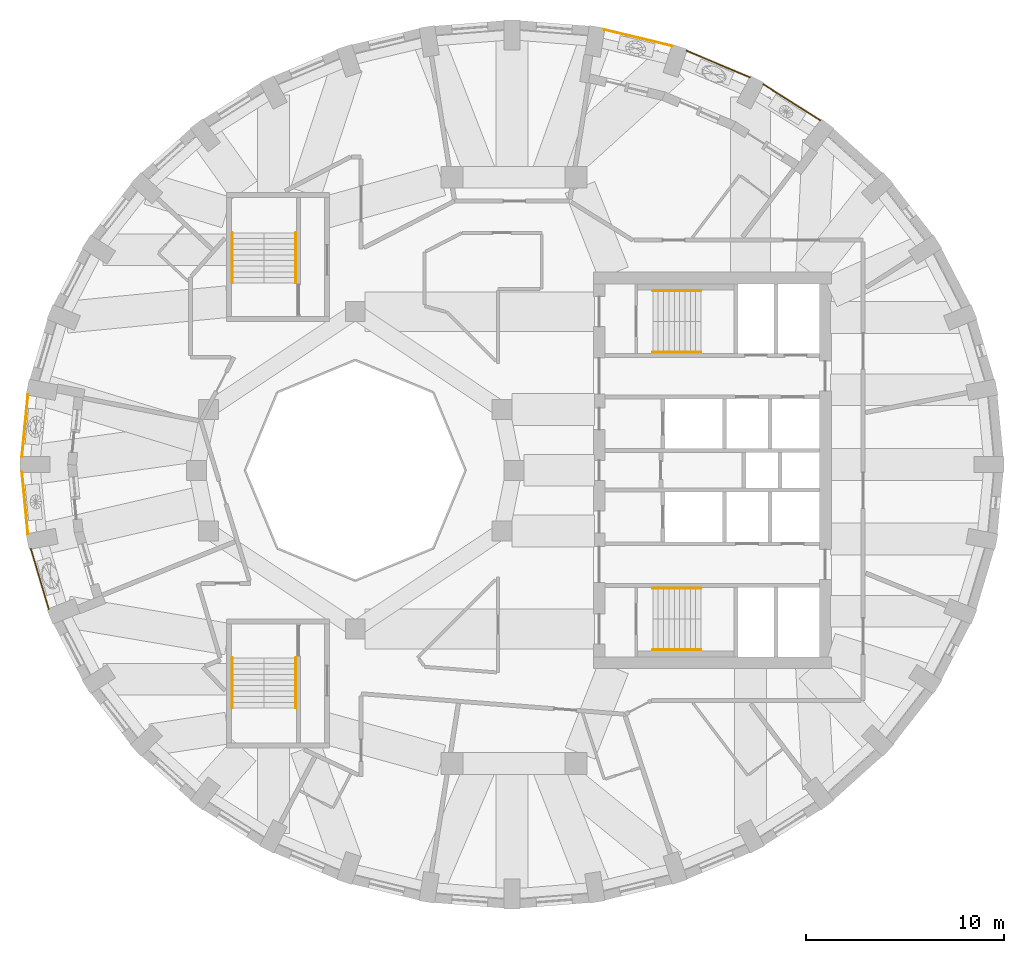
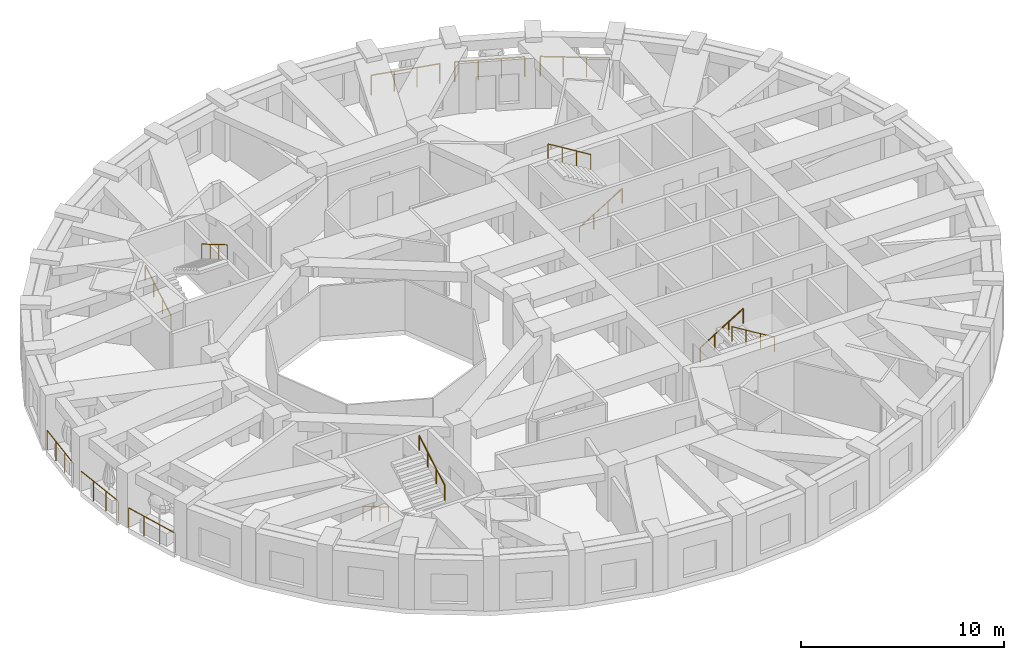
# One storey, part 10 of 12: 14 railings.
"""IFC4 building model written with IfcOpenShell, lengths in metres."""

from ifc_helpers import new_model, si_unit, direction, frame, origin, origin_2d, place, context, subcontext, project, spatial, circle, extrude, material, type_object, element, save


model = new_model("IFC4")

# Units and contexts
model_context = context("Model", 3, precision=1e-05, world=origin(), true_north=direction((0.0, 1.0)))
body_context = subcontext(model_context, "Body", "Model", "MODEL_VIEW")
ifc_project = project(units=[si_unit("LENGTHUNIT", "METRE"), si_unit("AREAUNIT", "SQUARE_METRE"), si_unit("VOLUMEUNIT", "CUBIC_METRE"), si_unit("PLANEANGLEUNIT", "RADIAN"), si_unit("MASSUNIT", "GRAM", prefix="KILO")], contexts=[model_context])

# Site, building, storey
site_placement = place(None, origin())
site = spatial("IfcSite", under=ifc_project, at=site_placement, CompositionType="ELEMENT")
building_placement = place(site_placement, origin())
building = spatial("IfcBuilding", under=site, at=building_placement, Name="Taillehof Tower", CompositionType="ELEMENT")
storey_placement = place(building_placement, frame((0.0, 0.0, 239.89990234375)))
storey = spatial("IfcBuildingStorey", under=building, at=storey_placement, Name="L68", CompositionType="ELEMENT", Elevation=239.89990234375)

# Railings
ifc_material_1 = material(Name="Stainless steel balustrade", Category="steel")
railing_type_1 = type_object("IfcRailingType", Name="Balcony guard 1200", PredefinedType="GUARDRAIL", material=ifc_material_1)
railing_1_placement = place(storey_placement, frame((-24.49853515625, 3.8115234375, 0.0)))
element("IfcRailing", 1, at=railing_1_placement, inside=storey, type_object=railing_type_1, Name="Balcony guard L68 bay 18", PredefinedType="GUARDRAIL", context=body_context, shape_type="SweptSolid", body=[
    extrude(circle(Radius=0.02392578125, at=origin_2d()), frame((0.0, 0.0, 1.17578125), z_axis=(-0.096691234516, -0.995314425279, 0.0), x_axis=(0.995314425279, -0.096691234516, 0.0)), (0.0, 0.0, 1.0), 3.14599609375),
    extrude(circle(Radius=0.02099609375, at=origin_2d()), origin(), (0.0, 0.0, 1.0), 1.15185546875),
    extrude(circle(Radius=0.02099609375, at=origin_2d()), frame((-0.101318359375, -1.043701171875, 0.0)), (0.0, 0.0, 1.0), 1.15185546875),
    extrude(circle(Radius=0.02099609375, at=origin_2d()), frame((-0.202880859375, -2.087646484375, 0.0)), (0.0, 0.0, 1.0), 1.15185546875),
    extrude(circle(Radius=0.02099609375, at=origin_2d()), frame((-0.30419921875, -3.13134765625, 0.0)), (0.0, 0.0, 1.0), 1.15185546875),
])
railing_2_placement = place(storey_placement, frame((-24.802734375, -0.080078125, 0.0)))
element("IfcRailing", 2, at=railing_2_placement, inside=storey, type_object=railing_type_1, Name="Balcony guard L68 bay 19", PredefinedType="GUARDRAIL", context=body_context, shape_type="SweptSolid", body=[
    extrude(circle(Radius=0.02392578125, at=origin_2d()), frame((0.0, 0.0, 1.17578125), z_axis=(0.096683766881, -0.995315150704, 0.0), x_axis=(0.995315150704, 0.096683766881, 0.0)), (0.0, 0.0, 1.0), 3.146240234375),
    extrude(circle(Radius=0.02099609375, at=origin_2d()), origin(), (0.0, 0.0, 1.0), 1.15185546875),
    extrude(circle(Radius=0.02099609375, at=origin_2d()), frame((0.101318359375, -1.0439453125, 0.0)), (0.0, 0.0, 1.0), 1.15185546875),
    extrude(circle(Radius=0.02099609375, at=origin_2d()), frame((0.202880859375, -2.087646484375, 0.0)), (0.0, 0.0, 1.0), 1.15185546875),
    extrude(circle(Radius=0.02099609375, at=origin_2d()), frame((0.30419921875, -3.131591796875, 0.0)), (0.0, 0.0, 1.0), 1.15185546875),
])
railing_3_placement = place(storey_placement, frame((-24.3525390625, -3.95751953125, 0.0)))
element("IfcRailing", 3, at=railing_3_placement, inside=storey, type_object=railing_type_1, Name="Balcony guard L68 bay 20", PredefinedType="GUARDRAIL", context=body_context, shape_type="SweptSolid", body=[
    extrude(circle(Radius=0.02392578125, at=origin_2d()), frame((0.0, 0.0, 1.17578125), z_axis=(0.285199702908, -0.958468116038, 0.0), x_axis=(0.958468116038, 0.285199702908, 0.0)), (0.0, 0.0, 1.0), 3.170654296875),
    extrude(circle(Radius=0.02099609375, at=origin_2d()), origin(), (0.0, 0.0, 1.0), 1.15185546875),
    extrude(circle(Radius=0.02099609375, at=origin_2d()), frame((0.301513671875, -1.012939453125, 0.0)), (0.0, 0.0, 1.0), 1.15185546875),
    extrude(circle(Radius=0.02099609375, at=origin_2d()), frame((0.602783203125, -2.026123046875, 0.0)), (0.0, 0.0, 1.0), 1.15185546875),
    extrude(circle(Radius=0.02099609375, at=origin_2d()), frame((0.904296875, -3.0390625, 0.0)), (0.0, 0.0, 1.0), 1.15185546875),
])
railing_4_placement = place(storey_placement, frame((15.452880859375, 17.637939453125, 0.0)))
element("IfcRailing", 4, at=railing_4_placement, inside=storey, type_object=railing_type_1, Name="Balcony guard L68 bay 6", PredefinedType="GUARDRAIL", context=body_context, shape_type="SweptSolid", body=[
    extrude(circle(Radius=0.02392578125, at=origin_2d()), frame((0.0, 0.0, 1.17578125), z_axis=(-0.845893321372, 0.533352124641, 0.0), x_axis=(-0.533352124641, -0.845893321372, 0.0)), (0.0, 0.0, 1.0), 3.412109375),
    extrude(circle(Radius=0.02099609375, at=origin_2d()), origin(), (0.0, 0.0, 1.0), 1.15185546875),
    extrude(circle(Radius=0.02099609375, at=origin_2d()), frame((-0.962158203125, 0.606689453125, 0.0)), (0.0, 0.0, 1.0), 1.15185546875),
    extrude(circle(Radius=0.02099609375, at=origin_2d()), frame((-1.924072265625, 1.213134765625, 0.0)), (0.0, 0.0, 1.0), 1.15185546875),
    extrude(circle(Radius=0.02099609375, at=origin_2d()), frame((-2.88623046875, 1.81982421875, 0.0)), (0.0, 0.0, 1.0), 1.15185546875),
])
railing_5_placement = place(storey_placement, frame((11.892333984375, 19.80859375, 0.0)))
element("IfcRailing", 5, at=railing_5_placement, inside=storey, type_object=railing_type_1, Name="Balcony guard L68 bay 7", PredefinedType="GUARDRAIL", context=body_context, shape_type="SweptSolid", body=[
    extrude(circle(Radius=0.02392578125, at=origin_2d()), frame((0.0, 0.0, 1.17578125), z_axis=(-0.922020278687, 0.38714158352, 0.0), x_axis=(-0.38714158352, -0.922020278687, 0.0)), (0.0, 0.0, 1.0), 3.47021484375),
    extrude(circle(Radius=0.02099609375, at=origin_2d()), origin(), (0.0, 0.0, 1.0), 1.15185546875),
    extrude(circle(Radius=0.02099609375, at=origin_2d()), frame((-1.066650390625, 0.44775390625, 0.0)), (0.0, 0.0, 1.0), 1.15185546875),
    extrude(circle(Radius=0.02099609375, at=origin_2d()), frame((-2.133056640625, 0.895751953125, 0.0)), (0.0, 0.0, 1.0), 1.15185546875),
    extrude(circle(Radius=0.02099609375, at=origin_2d()), frame((-3.19970703125, 1.343505859375, 0.0)), (0.0, 0.0, 1.0), 1.15185546875),
])
railing_6_placement = place(storey_placement, frame((7.97021484375, 21.38916015625, 0.0)))
element("IfcRailing", 6, at=railing_6_placement, inside=storey, type_object=railing_type_1, Name="Balcony guard L68 bay 8", PredefinedType="GUARDRAIL", context=body_context, shape_type="SweptSolid", body=[
    extrude(circle(Radius=0.02392578125, at=origin_2d()), frame((0.0, 0.0, 1.17578125), z_axis=(-0.972116636457, 0.234497857397, 0.0), x_axis=(-0.234497857397, -0.972116636457, 0.0)), (0.0, 0.0, 1.0), 3.5126953125),
    extrude(circle(Radius=0.02099609375, at=origin_2d()), origin(), (0.0, 0.0, 1.0), 1.15185546875),
    extrude(circle(Radius=0.02099609375, at=origin_2d()), frame((-1.13818359375, 0.274658203125, 0.0)), (0.0, 0.0, 1.0), 1.15185546875),
    extrude(circle(Radius=0.02099609375, at=origin_2d()), frame((-2.276611328125, 0.549072265625, 0.0)), (0.0, 0.0, 1.0), 1.15185546875),
    extrude(circle(Radius=0.02099609375, at=origin_2d()), frame((-3.414794921875, 0.82373046875, 0.0)), (0.0, 0.0, 1.0), 1.15185546875),
])
ifc_material_2 = material(Name="Stainless steel", Category="steel")
railing_type_2 = type_object("IfcRailingType", Name="Stair handrail 900", PredefinedType="HANDRAIL", material=ifc_material_2)
railing_7_placement = place(storey_placement, frame((7.0, 5.949951171875, 0.1650390625)))
element("IfcRailing", 7, at=railing_7_placement, inside=storey, type_object=railing_type_2, Name="Stair S1 handrail", PredefinedType="HANDRAIL", context=body_context, shape_type="SweptSolid", body=[
    extrude(circle(Radius=0.02392578125, at=origin_2d()), frame((0.0, 0.0, 0.8759765625), z_axis=(0.853258522278, 0.0, 0.521488153423), x_axis=(0.0, 1.0, 0.0)), (0.0, 0.0, 1.0), 2.847900390625),
    extrude(circle(Radius=0.02099609375, at=origin_2d()), origin(), (0.0, 0.0, 1.0), 0.851806640625),
    extrude(circle(Radius=0.02099609375, at=origin_2d()), frame((0.81005859375, 0.0, 0.4951171875)), (0.0, 0.0, 1.0), 0.851806640625),
    extrude(circle(Radius=0.02099609375, at=origin_2d()), frame((1.619873046875, 0.0, 0.989990234375)), (0.0, 0.0, 1.0), 0.851806640625),
    extrude(circle(Radius=0.02099609375, at=origin_2d()), frame((2.429931640625, 0.0, 1.485107421875)), (0.0, 0.0, 1.0), 0.851806640625),
])
railing_8_placement = place(storey_placement, frame((9.429931640625, 9.050048828125, 1.815185546875)))
element("IfcRailing", 8, at=railing_8_placement, inside=storey, type_object=railing_type_2, Name="Stair S1 handrail", PredefinedType="HANDRAIL", context=body_context, shape_type="SweptSolid", body=[
    extrude(circle(Radius=0.02392578125, at=origin_2d()), frame((0.0, 0.0, 0.8759765625), z_axis=(-0.853296667938, 0.0, 0.521425734392), x_axis=(0.0, -1.0, 0.0)), (0.0, 0.0, 1.0), 2.84765625),
    extrude(circle(Radius=0.02099609375, at=origin_2d()), origin(), (0.0, 0.0, 1.0), 0.851806640625),
    extrude(circle(Radius=0.02099609375, at=origin_2d()), frame((-0.81005859375, 0.0, 0.494873046875)), (0.0, 0.0, 1.0), 0.851806640625),
    extrude(circle(Radius=0.02099609375, at=origin_2d()), frame((-1.619873046875, 0.0, 0.989990234375)), (0.0, 0.0, 1.0), 0.851806640625),
    extrude(circle(Radius=0.02099609375, at=origin_2d()), frame((-2.429931640625, 0.0, 1.48486328125)), (0.0, 0.0, 1.0), 0.851806640625),
])
railing_9_placement = place(storey_placement, frame((7.0, -5.949951171875, 0.1650390625)))
element("IfcRailing", 9, at=railing_9_placement, inside=storey, type_object=railing_type_2, Name="Stair S2 handrail", PredefinedType="HANDRAIL", context=body_context, shape_type="SweptSolid", body=[
    extrude(circle(Radius=0.02392578125, at=origin_2d()), frame((0.0, 0.0, 0.8759765625), z_axis=(0.853258522278, 0.0, 0.521488153423), x_axis=(0.0, 1.0, 0.0)), (0.0, 0.0, 1.0), 2.847900390625),
    extrude(circle(Radius=0.02099609375, at=origin_2d()), origin(), (0.0, 0.0, 1.0), 0.851806640625),
    extrude(circle(Radius=0.02099609375, at=origin_2d()), frame((0.81005859375, 0.0, 0.4951171875)), (0.0, 0.0, 1.0), 0.851806640625),
    extrude(circle(Radius=0.02099609375, at=origin_2d()), frame((1.619873046875, 0.0, 0.989990234375)), (0.0, 0.0, 1.0), 0.851806640625),
    extrude(circle(Radius=0.02099609375, at=origin_2d()), frame((2.429931640625, 0.0, 1.485107421875)), (0.0, 0.0, 1.0), 0.851806640625),
])
railing_10_placement = place(storey_placement, frame((9.429931640625, -9.050048828125, 1.815185546875)))
element("IfcRailing", 10, at=railing_10_placement, inside=storey, type_object=railing_type_2, Name="Stair S2 handrail", PredefinedType="HANDRAIL", context=body_context, shape_type="SweptSolid", body=[
    extrude(circle(Radius=0.02392578125, at=origin_2d()), frame((0.0, 0.0, 0.8759765625), z_axis=(-0.853296667938, 0.0, 0.521425734392), x_axis=(0.0, -1.0, 0.0)), (0.0, 0.0, 1.0), 2.84765625),
    extrude(circle(Radius=0.02099609375, at=origin_2d()), origin(), (0.0, 0.0, 1.0), 0.851806640625),
    extrude(circle(Radius=0.02099609375, at=origin_2d()), frame((-0.81005859375, 0.0, 0.494873046875)), (0.0, 0.0, 1.0), 0.851806640625),
    extrude(circle(Radius=0.02099609375, at=origin_2d()), frame((-1.619873046875, 0.0, 0.989990234375)), (0.0, 0.0, 1.0), 0.851806640625),
    extrude(circle(Radius=0.02099609375, at=origin_2d()), frame((-2.429931640625, 0.0, 1.48486328125)), (0.0, 0.0, 1.0), 0.851806640625),
])
railing_11_placement = place(storey_placement, frame((-14.199951171875, 9.449951171875, 0.1650390625)))
element("IfcRailing", 11, at=railing_11_placement, inside=storey, type_object=railing_type_2, Name="Stair S3 handrail", PredefinedType="HANDRAIL", context=body_context, shape_type="SweptSolid", body=[
    extrude(circle(Radius=0.02392578125, at=origin_2d()), frame((0.0, 0.0, 0.8759765625), z_axis=(0.0, 0.86152411907, 0.507716645641), x_axis=(-1.0, 0.0, 0.0)), (0.0, 0.0, 1.0), 2.925048828125),
    extrude(circle(Radius=0.02099609375, at=origin_2d()), origin(), (0.0, 0.0, 1.0), 0.851806640625),
    extrude(circle(Radius=0.02099609375, at=origin_2d()), frame((0.0, 0.840087890625, 0.4951171875)), (0.0, 0.0, 1.0), 0.851806640625),
    extrude(circle(Radius=0.02099609375, at=origin_2d()), frame((0.0, 1.679931640625, 0.989990234375)), (0.0, 0.0, 1.0), 0.851806640625),
    extrude(circle(Radius=0.02099609375, at=origin_2d()), frame((0.0, 2.52001953125, 1.485107421875)), (0.0, 0.0, 1.0), 0.851806640625),
])
railing_12_placement = place(storey_placement, frame((-11.0, 11.969970703125, 1.815185546875)))
element("IfcRailing", 12, at=railing_12_placement, inside=storey, type_object=railing_type_2, Name="Stair S3 handrail", PredefinedType="HANDRAIL", context=body_context, shape_type="SweptSolid", body=[
    extrude(circle(Radius=0.02392578125, at=origin_2d()), frame((0.0, 0.0, 0.8759765625), z_axis=(0.0, -0.861560626758, 0.507654692109), x_axis=(1.0, 0.0, 0.0)), (0.0, 0.0, 1.0), 2.925048828125),
    extrude(circle(Radius=0.02099609375, at=origin_2d()), origin(), (0.0, 0.0, 1.0), 0.851806640625),
    extrude(circle(Radius=0.02099609375, at=origin_2d()), frame((0.0, -0.840087890625, 0.494873046875)), (0.0, 0.0, 1.0), 0.851806640625),
    extrude(circle(Radius=0.02099609375, at=origin_2d()), frame((0.0, -1.679931640625, 0.989990234375)), (0.0, 0.0, 1.0), 0.851806640625),
    extrude(circle(Radius=0.02099609375, at=origin_2d()), frame((0.0, -2.52001953125, 1.48486328125)), (0.0, 0.0, 1.0), 0.851806640625),
])
railing_13_placement = place(storey_placement, frame((-14.199951171875, -9.449951171875, 0.1650390625)))
element("IfcRailing", 13, at=railing_13_placement, inside=storey, type_object=railing_type_2, Name="Stair S4 handrail", PredefinedType="HANDRAIL", context=body_context, shape_type="SweptSolid", body=[
    extrude(circle(Radius=0.02392578125, at=origin_2d()), frame((0.0, 0.0, 0.8759765625), z_axis=(0.0, -0.86152411907, 0.507716645641), x_axis=(1.0, 0.0, 0.0)), (0.0, 0.0, 1.0), 2.925048828125),
    extrude(circle(Radius=0.02099609375, at=origin_2d()), origin(), (0.0, 0.0, 1.0), 0.851806640625),
    extrude(circle(Radius=0.02099609375, at=origin_2d()), frame((0.0, -0.840087890625, 0.4951171875)), (0.0, 0.0, 1.0), 0.851806640625),
    extrude(circle(Radius=0.02099609375, at=origin_2d()), frame((0.0, -1.679931640625, 0.989990234375)), (0.0, 0.0, 1.0), 0.851806640625),
    extrude(circle(Radius=0.02099609375, at=origin_2d()), frame((0.0, -2.52001953125, 1.485107421875)), (0.0, 0.0, 1.0), 0.851806640625),
])
railing_14_placement = place(storey_placement, frame((-11.0, -11.969970703125, 1.815185546875)))
element("IfcRailing", 14, at=railing_14_placement, inside=storey, type_object=railing_type_2, Name="Stair S4 handrail", PredefinedType="HANDRAIL", context=body_context, shape_type="SweptSolid", body=[
    extrude(circle(Radius=0.02392578125, at=origin_2d()), frame((0.0, 0.0, 0.8759765625), z_axis=(0.0, 0.861560626758, 0.507654692109), x_axis=(-1.0, 0.0, 0.0)), (0.0, 0.0, 1.0), 2.925048828125),
    extrude(circle(Radius=0.02099609375, at=origin_2d()), origin(), (0.0, 0.0, 1.0), 0.851806640625),
    extrude(circle(Radius=0.02099609375, at=origin_2d()), frame((0.0, 0.840087890625, 0.494873046875)), (0.0, 0.0, 1.0), 0.851806640625),
    extrude(circle(Radius=0.02099609375, at=origin_2d()), frame((0.0, 1.679931640625, 0.989990234375)), (0.0, 0.0, 1.0), 0.851806640625),
    extrude(circle(Radius=0.02099609375, at=origin_2d()), frame((0.0, 2.52001953125, 1.48486328125)), (0.0, 0.0, 1.0), 0.851806640625),
])

save(model, "model.ifc")
